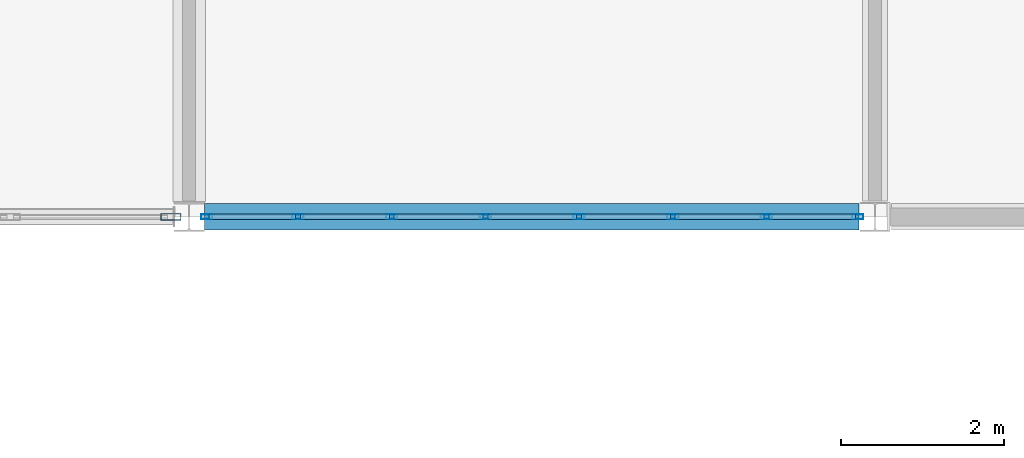
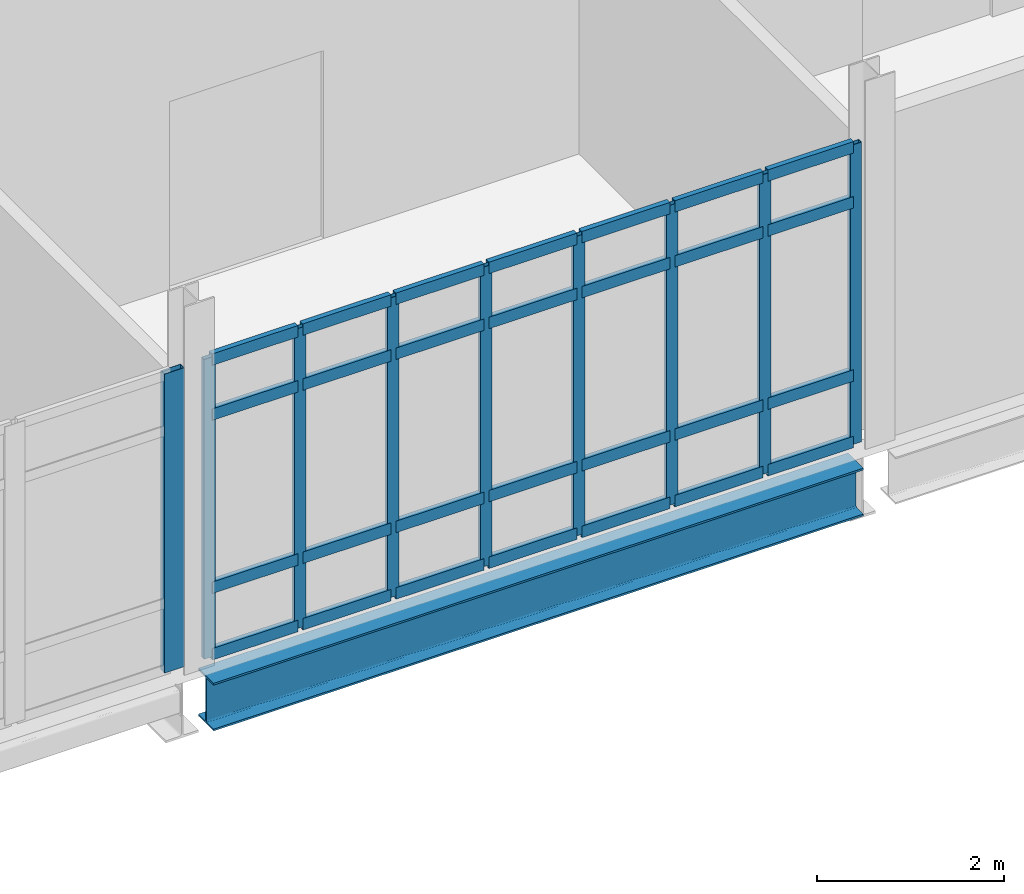
# One storey, part 19 of 72: 37 members, 1 beam, 2 elements without a shape of their own.
"""IFC4 building model written with IfcOpenShell, lengths in metres."""

from ifc_helpers import new_model, si_unit, direction, frame, origin, origin_2d, place, context, subcontext, project, spatial, hollow_rectangle, i_section, extrude, material, layer, layer_set, material_profile, profile_set, type_object, element, aggregate, save


model = new_model("IFC4")

# Units and contexts
model_context = context("Model", 3, precision=1e-05, world=origin(), true_north=direction((0.0, 1.0)))
body_context = subcontext(model_context, "Body", "Model", "MODEL_VIEW")
ifc_project = project(units=[si_unit("LENGTHUNIT", "METRE"), si_unit("AREAUNIT", "SQUARE_METRE"), si_unit("VOLUMEUNIT", "CUBIC_METRE"), si_unit("PLANEANGLEUNIT", "RADIAN"), si_unit("MASSUNIT", "GRAM", prefix="KILO")], contexts=[model_context])

# Site, building, storey
site_placement = place(None, origin())
site = spatial("IfcSite", under=ifc_project, at=site_placement, CompositionType="ELEMENT")
building_placement = place(site_placement, origin())
building = spatial("IfcBuilding", under=site, at=building_placement, Name="Calvrana Isthmian Art Gallery", CompositionType="ELEMENT")
storey_placement = place(building_placement, frame((0.0, 0.0, 15.0)))
storey = spatial("IfcBuildingStorey", under=building, at=storey_placement, Name="L03", CompositionType="ELEMENT", Elevation=15.0)

# Beam
ifc_material_1 = material(Name="Steel ASTM A992 Gr 50", Category="steel")
ifc_material_profile_1 = material_profile(ifc_material_1, i_section(OverallWidth=0.327880859375, OverallDepth=0.6220703125, WebThickness=0.015380859375, FlangeThickness=0.0244140625, FilletRadius=0.02197265625, at=origin_2d()), Name="W24X131")
ifc_profile_set_1 = profile_set([ifc_material_profile_1], Name="Steel ASTM A992 Gr 50")
beam_type = type_object("IfcBeamType", Name="BM-G-W24X131", PredefinedType="BEAM", material=ifc_profile_set_1)
beam_placement = place(storey_placement, frame((46.986572265625, 21.60009765625, -0.555908203125), z_axis=(1.0, 0.0, 0.0), x_axis=(0.0, 1.0, 0.0)))
element("IfcBeam", 1, at=beam_placement, inside=storey, type_object=beam_type, Name="Girder X L03 07-08/D", PredefinedType="BEAM", context=body_context, shape_type="SweptSolid", body=[
    extrude(i_section(OverallWidth=0.327880859375, OverallDepth=0.6220703125, WebThickness=0.015380859375, FlangeThickness=0.0244140625, FilletRadius=0.02197265625, at=origin_2d()), origin(), (0.0, 0.0, 1.0), 8.013916015625),
])

# Curtain wall, members
ifc_material_2 = material(Name="Anodized bronze aluminium 6063-T6", Category="aluminium")
ifc_layer = layer(ifc_material_2, 0.179931640625, Name="Anodized bronze aluminium 6063-T6")
ifc_layer_set = layer_set([ifc_layer], Name="Anodized bronze aluminium 6063-T6")
curtain_wall_type = type_object("IfcCurtainWallType", Name="CW-STICK-080X39", PredefinedType="NOTDEFINED", material=ifc_layer_set)
curtain_wall_1_placement = place(storey_placement, origin())
curtain_wall_1 = element("IfcCurtainWall", 2, at=curtain_wall_1_placement, inside=storey, type_object=curtain_wall_type, Name="Curtain wall CW-192", PredefinedType="NOTDEFINED")
ifc_material_profile_2 = material_profile(ifc_material_2, hollow_rectangle(XDim=0.06005859375, YDim=0.139892578125, WallThickness=0.00390625, at=origin_2d()), Name="CWM60X140")
ifc_profile_set_2 = profile_set([ifc_material_profile_2], Name="Anodized bronze aluminium 6063-T6")
member_type_1 = type_object("IfcMemberType", Name="CWM-CWM60X140", PredefinedType="MULLION", material=ifc_profile_set_2)
member_1_placement = place(storey_placement, frame((54.986083984375, 21.60009765625, 0.0), z_axis=(0.0, 0.0, 1.0), x_axis=(0.0, -1.0, 0.0)))
member_1 = element("IfcMember", 3, at=member_1_placement, type_object=member_type_1, Name="CW-192 mullion 1", PredefinedType="MULLION", context=body_context, shape_type="SweptSolid", body=[
    extrude(hollow_rectangle(XDim=0.06005859375, YDim=0.139892578125, WallThickness=0.00390625, at=origin_2d()), origin(), (0.0, 0.0, 1.0), 3.907958984375),
])
member_2_placement = place(storey_placement, frame((53.868896484375, 21.60009765625, 0.0), z_axis=(0.0, 0.0, 1.0), x_axis=(0.0, -1.0, 0.0)))
member_2 = element("IfcMember", 4, at=member_2_placement, type_object=member_type_1, Name="CW-192 mullion 2", PredefinedType="MULLION", context=body_context, shape_type="SweptSolid", body=[
    extrude(hollow_rectangle(XDim=0.06005859375, YDim=0.139892578125, WallThickness=0.00390625, at=origin_2d()), origin(), (0.0, 0.0, 1.0), 3.907958984375),
])
member_3_placement = place(storey_placement, frame((52.7216796875, 21.60009765625, 0.0), z_axis=(0.0, 0.0, 1.0), x_axis=(0.0, -1.0, 0.0)))
member_3 = element("IfcMember", 5, at=member_3_placement, type_object=member_type_1, Name="CW-192 mullion 3", PredefinedType="MULLION", context=body_context, shape_type="SweptSolid", body=[
    extrude(hollow_rectangle(XDim=0.06005859375, YDim=0.139892578125, WallThickness=0.00390625, at=origin_2d()), origin(), (0.0, 0.0, 1.0), 3.907958984375),
])
member_4_placement = place(storey_placement, frame((51.574462890625, 21.60009765625, 0.0), z_axis=(0.0, 0.0, 1.0), x_axis=(0.0, -1.0, 0.0)))
member_4 = element("IfcMember", 6, at=member_4_placement, type_object=member_type_1, Name="CW-192 mullion 4", PredefinedType="MULLION", context=body_context, shape_type="SweptSolid", body=[
    extrude(hollow_rectangle(XDim=0.06005859375, YDim=0.139892578125, WallThickness=0.00390625, at=origin_2d()), origin(), (0.0, 0.0, 1.0), 3.907958984375),
])
member_5_placement = place(storey_placement, frame((50.42724609375, 21.60009765625, 0.0), z_axis=(0.0, 0.0, 1.0), x_axis=(0.0, -1.0, 0.0)))
member_5 = element("IfcMember", 7, at=member_5_placement, type_object=member_type_1, Name="CW-192 mullion 5", PredefinedType="MULLION", context=body_context, shape_type="SweptSolid", body=[
    extrude(hollow_rectangle(XDim=0.06005859375, YDim=0.139892578125, WallThickness=0.00390625, at=origin_2d()), origin(), (0.0, 0.0, 1.0), 3.907958984375),
])
member_6_placement = place(storey_placement, frame((49.280029296875, 21.60009765625, 0.0), z_axis=(0.0, 0.0, 1.0), x_axis=(0.0, -1.0, 0.0)))
member_6 = element("IfcMember", 8, at=member_6_placement, type_object=member_type_1, Name="CW-192 mullion 6", PredefinedType="MULLION", context=body_context, shape_type="SweptSolid", body=[
    extrude(hollow_rectangle(XDim=0.06005859375, YDim=0.139892578125, WallThickness=0.00390625, at=origin_2d()), origin(), (0.0, 0.0, 1.0), 3.907958984375),
])
member_7_placement = place(storey_placement, frame((48.1328125, 21.60009765625, 0.0), z_axis=(0.0, 0.0, 1.0), x_axis=(0.0, -1.0, 0.0)))
member_7 = element("IfcMember", 9, at=member_7_placement, type_object=member_type_1, Name="CW-192 mullion 7", PredefinedType="MULLION", context=body_context, shape_type="SweptSolid", body=[
    extrude(hollow_rectangle(XDim=0.06005859375, YDim=0.139892578125, WallThickness=0.00390625, at=origin_2d()), origin(), (0.0, 0.0, 1.0), 3.907958984375),
])
member_8_placement = place(storey_placement, frame((47.015380859375, 21.60009765625, 0.0), z_axis=(0.0, 0.0, 1.0), x_axis=(0.0, -1.0, 0.0)))
member_8 = element("IfcMember", 10, at=member_8_placement, type_object=member_type_1, Name="CW-192 mullion 8", PredefinedType="MULLION", context=body_context, shape_type="SweptSolid", body=[
    extrude(hollow_rectangle(XDim=0.06005859375, YDim=0.139892578125, WallThickness=0.00390625, at=origin_2d()), origin(), (0.0, 0.0, 1.0), 3.907958984375),
])

# Curtain wall, member
curtain_wall_2_placement = place(storey_placement, origin())
curtain_wall_2 = element("IfcCurtainWall", 11, at=curtain_wall_2_placement, inside=storey, type_object=curtain_wall_type, Name="Curtain wall CW-191", PredefinedType="NOTDEFINED")
ifc_material_profile_3 = material_profile(ifc_material_2, hollow_rectangle(XDim=0.080078125, YDim=0.25, WallThickness=0.005615234375, at=origin_2d()), Name="CWM80X250")
ifc_profile_set_3 = profile_set([ifc_material_profile_3], Name="Anodized bronze aluminium 6063-T6")
member_type_2 = type_object("IfcMemberType", Name="CWM-CWM80X250", PredefinedType="MULLION", material=ifc_profile_set_3)
member_9_placement = place(storey_placement, frame((46.574462890625, 21.60009765625, 0.0), z_axis=(0.0, 0.0, 1.0), x_axis=(0.0, -1.0, 0.0)))
member_9 = element("IfcMember", 12, at=member_9_placement, type_object=member_type_2, Name="CW-191 mullion 1", PredefinedType="MULLION", context=body_context, shape_type="SweptSolid", body=[
    extrude(hollow_rectangle(XDim=0.080078125, YDim=0.25, WallThickness=0.005615234375, at=origin_2d()), origin(), (0.0, 0.0, 1.0), 3.89794921875),
])
aggregate(curtain_wall_2, [member_9])

# Member
ifc_material_profile_4 = material_profile(ifc_material_2, hollow_rectangle(XDim=0.06494140625, YDim=0.14990234375, WallThickness=0.00390625, at=origin_2d()), Name="CWT65X150")
ifc_profile_set_4 = profile_set([ifc_material_profile_4], Name="Anodized bronze aluminium 6063-T6")
member_type_3 = type_object("IfcMemberType", Name="CWT-CWT65X150", PredefinedType="USERDEFINED", material=ifc_profile_set_4)
member_10_placement = place(storey_placement, frame((54.9560546875, 21.60009765625, 0.032470703125), z_axis=(-1.0, 0.0, 0.0), x_axis=(0.0, -1.0, 0.0)))
member_10 = element("IfcMember", 13, at=member_10_placement, type_object=member_type_3, Name="CW-192 transom 1.1", ObjectType="TRANSOM", PredefinedType="USERDEFINED", context=body_context, shape_type="SweptSolid", body=[
    extrude(hollow_rectangle(XDim=0.06494140625, YDim=0.14990234375, WallThickness=0.00390625, at=origin_2d()), origin(), (0.0, 0.0, 1.0), 1.057373046875),
])

member_11_placement = place(storey_placement, frame((54.9560546875, 21.60009765625, 0.89990234375), z_axis=(-1.0, 0.0, 0.0), x_axis=(0.0, -1.0, 0.0)))
member_11 = element("IfcMember", 14, at=member_11_placement, type_object=member_type_3, Name="CW-192 transom 1.2", ObjectType="TRANSOM", PredefinedType="USERDEFINED", context=body_context, shape_type="SweptSolid", body=[
    extrude(hollow_rectangle(XDim=0.06494140625, YDim=0.14990234375, WallThickness=0.00390625, at=origin_2d()), origin(), (0.0, 0.0, 1.0), 1.057373046875),
])

member_12_placement = place(storey_placement, frame((54.9560546875, 21.60009765625, 3.157958984375), z_axis=(-1.0, 0.0, 0.0), x_axis=(0.0, -1.0, 0.0)))
member_12 = element("IfcMember", 15, at=member_12_placement, type_object=member_type_3, Name="CW-192 transom 1.3", ObjectType="TRANSOM", PredefinedType="USERDEFINED", context=body_context, shape_type="SweptSolid", body=[
    extrude(hollow_rectangle(XDim=0.06494140625, YDim=0.14990234375, WallThickness=0.00390625, at=origin_2d()), origin(), (0.0, 0.0, 1.0), 1.057373046875),
])

member_13_placement = place(storey_placement, frame((54.9560546875, 21.60009765625, 3.87548828125), z_axis=(-1.0, 0.0, 0.0), x_axis=(0.0, -1.0, 0.0)))
member_13 = element("IfcMember", 16, at=member_13_placement, type_object=member_type_3, Name="CW-192 transom 1.4", ObjectType="TRANSOM", PredefinedType="USERDEFINED", context=body_context, shape_type="SweptSolid", body=[
    extrude(hollow_rectangle(XDim=0.06494140625, YDim=0.14990234375, WallThickness=0.00390625, at=origin_2d()), origin(), (0.0, 0.0, 1.0), 1.057373046875),
])

member_14_placement = place(storey_placement, frame((53.8388671875, 21.60009765625, 0.032470703125), z_axis=(-1.0, 0.0, 0.0), x_axis=(0.0, -1.0, 0.0)))
member_14 = element("IfcMember", 17, at=member_14_placement, type_object=member_type_3, Name="CW-192 transom 2.1", ObjectType="TRANSOM", PredefinedType="USERDEFINED", context=body_context, shape_type="SweptSolid", body=[
    extrude(hollow_rectangle(XDim=0.06494140625, YDim=0.14990234375, WallThickness=0.00390625, at=origin_2d()), origin(), (0.0, 0.0, 1.0), 1.08740234375),
])

member_15_placement = place(storey_placement, frame((53.8388671875, 21.60009765625, 0.89990234375), z_axis=(-1.0, 0.0, 0.0), x_axis=(0.0, -1.0, 0.0)))
member_15 = element("IfcMember", 18, at=member_15_placement, type_object=member_type_3, Name="CW-192 transom 2.2", ObjectType="TRANSOM", PredefinedType="USERDEFINED", context=body_context, shape_type="SweptSolid", body=[
    extrude(hollow_rectangle(XDim=0.06494140625, YDim=0.14990234375, WallThickness=0.00390625, at=origin_2d()), origin(), (0.0, 0.0, 1.0), 1.08740234375),
])

member_16_placement = place(storey_placement, frame((53.8388671875, 21.60009765625, 3.157958984375), z_axis=(-1.0, 0.0, 0.0), x_axis=(0.0, -1.0, 0.0)))
member_16 = element("IfcMember", 19, at=member_16_placement, type_object=member_type_3, Name="CW-192 transom 2.3", ObjectType="TRANSOM", PredefinedType="USERDEFINED", context=body_context, shape_type="SweptSolid", body=[
    extrude(hollow_rectangle(XDim=0.06494140625, YDim=0.14990234375, WallThickness=0.00390625, at=origin_2d()), origin(), (0.0, 0.0, 1.0), 1.08740234375),
])

member_17_placement = place(storey_placement, frame((53.8388671875, 21.60009765625, 3.87548828125), z_axis=(-1.0, 0.0, 0.0), x_axis=(0.0, -1.0, 0.0)))
member_17 = element("IfcMember", 20, at=member_17_placement, type_object=member_type_3, Name="CW-192 transom 2.4", ObjectType="TRANSOM", PredefinedType="USERDEFINED", context=body_context, shape_type="SweptSolid", body=[
    extrude(hollow_rectangle(XDim=0.06494140625, YDim=0.14990234375, WallThickness=0.00390625, at=origin_2d()), origin(), (0.0, 0.0, 1.0), 1.08740234375),
])

member_18_placement = place(storey_placement, frame((52.691650390625, 21.60009765625, 0.032470703125), z_axis=(-1.0, 0.0, 0.0), x_axis=(0.0, -1.0, 0.0)))
member_18 = element("IfcMember", 21, at=member_18_placement, type_object=member_type_3, Name="CW-192 transom 3.1", ObjectType="TRANSOM", PredefinedType="USERDEFINED", context=body_context, shape_type="SweptSolid", body=[
    extrude(hollow_rectangle(XDim=0.06494140625, YDim=0.14990234375, WallThickness=0.00390625, at=origin_2d()), origin(), (0.0, 0.0, 1.0), 1.08740234375),
])

member_19_placement = place(storey_placement, frame((52.691650390625, 21.60009765625, 0.89990234375), z_axis=(-1.0, 0.0, 0.0), x_axis=(0.0, -1.0, 0.0)))
member_19 = element("IfcMember", 22, at=member_19_placement, type_object=member_type_3, Name="CW-192 transom 3.2", ObjectType="TRANSOM", PredefinedType="USERDEFINED", context=body_context, shape_type="SweptSolid", body=[
    extrude(hollow_rectangle(XDim=0.06494140625, YDim=0.14990234375, WallThickness=0.00390625, at=origin_2d()), origin(), (0.0, 0.0, 1.0), 1.08740234375),
])

member_20_placement = place(storey_placement, frame((52.691650390625, 21.60009765625, 3.157958984375), z_axis=(-1.0, 0.0, 0.0), x_axis=(0.0, -1.0, 0.0)))
member_20 = element("IfcMember", 23, at=member_20_placement, type_object=member_type_3, Name="CW-192 transom 3.3", ObjectType="TRANSOM", PredefinedType="USERDEFINED", context=body_context, shape_type="SweptSolid", body=[
    extrude(hollow_rectangle(XDim=0.06494140625, YDim=0.14990234375, WallThickness=0.00390625, at=origin_2d()), origin(), (0.0, 0.0, 1.0), 1.08740234375),
])

member_21_placement = place(storey_placement, frame((52.691650390625, 21.60009765625, 3.87548828125), z_axis=(-1.0, 0.0, 0.0), x_axis=(0.0, -1.0, 0.0)))
member_21 = element("IfcMember", 24, at=member_21_placement, type_object=member_type_3, Name="CW-192 transom 3.4", ObjectType="TRANSOM", PredefinedType="USERDEFINED", context=body_context, shape_type="SweptSolid", body=[
    extrude(hollow_rectangle(XDim=0.06494140625, YDim=0.14990234375, WallThickness=0.00390625, at=origin_2d()), origin(), (0.0, 0.0, 1.0), 1.08740234375),
])

member_22_placement = place(storey_placement, frame((51.54443359375, 21.60009765625, 0.032470703125), z_axis=(-1.0, 0.0, 0.0), x_axis=(0.0, -1.0, 0.0)))
member_22 = element("IfcMember", 25, at=member_22_placement, type_object=member_type_3, Name="CW-192 transom 4.1", ObjectType="TRANSOM", PredefinedType="USERDEFINED", context=body_context, shape_type="SweptSolid", body=[
    extrude(hollow_rectangle(XDim=0.06494140625, YDim=0.14990234375, WallThickness=0.00390625, at=origin_2d()), origin(), (0.0, 0.0, 1.0), 1.08740234375),
])

member_23_placement = place(storey_placement, frame((51.54443359375, 21.60009765625, 0.89990234375), z_axis=(-1.0, 0.0, 0.0), x_axis=(0.0, -1.0, 0.0)))
member_23 = element("IfcMember", 26, at=member_23_placement, type_object=member_type_3, Name="CW-192 transom 4.2", ObjectType="TRANSOM", PredefinedType="USERDEFINED", context=body_context, shape_type="SweptSolid", body=[
    extrude(hollow_rectangle(XDim=0.06494140625, YDim=0.14990234375, WallThickness=0.00390625, at=origin_2d()), origin(), (0.0, 0.0, 1.0), 1.08740234375),
])

member_24_placement = place(storey_placement, frame((51.54443359375, 21.60009765625, 3.157958984375), z_axis=(-1.0, 0.0, 0.0), x_axis=(0.0, -1.0, 0.0)))
member_24 = element("IfcMember", 27, at=member_24_placement, type_object=member_type_3, Name="CW-192 transom 4.3", ObjectType="TRANSOM", PredefinedType="USERDEFINED", context=body_context, shape_type="SweptSolid", body=[
    extrude(hollow_rectangle(XDim=0.06494140625, YDim=0.14990234375, WallThickness=0.00390625, at=origin_2d()), origin(), (0.0, 0.0, 1.0), 1.08740234375),
])

member_25_placement = place(storey_placement, frame((51.54443359375, 21.60009765625, 3.87548828125), z_axis=(-1.0, 0.0, 0.0), x_axis=(0.0, -1.0, 0.0)))
member_25 = element("IfcMember", 28, at=member_25_placement, type_object=member_type_3, Name="CW-192 transom 4.4", ObjectType="TRANSOM", PredefinedType="USERDEFINED", context=body_context, shape_type="SweptSolid", body=[
    extrude(hollow_rectangle(XDim=0.06494140625, YDim=0.14990234375, WallThickness=0.00390625, at=origin_2d()), origin(), (0.0, 0.0, 1.0), 1.08740234375),
])

member_26_placement = place(storey_placement, frame((50.397216796875, 21.60009765625, 0.032470703125), z_axis=(-1.0, 0.0, 0.0), x_axis=(0.0, -1.0, 0.0)))
member_26 = element("IfcMember", 29, at=member_26_placement, type_object=member_type_3, Name="CW-192 transom 5.1", ObjectType="TRANSOM", PredefinedType="USERDEFINED", context=body_context, shape_type="SweptSolid", body=[
    extrude(hollow_rectangle(XDim=0.06494140625, YDim=0.14990234375, WallThickness=0.00390625, at=origin_2d()), origin(), (0.0, 0.0, 1.0), 1.08740234375),
])

member_27_placement = place(storey_placement, frame((50.397216796875, 21.60009765625, 0.89990234375), z_axis=(-1.0, 0.0, 0.0), x_axis=(0.0, -1.0, 0.0)))
member_27 = element("IfcMember", 30, at=member_27_placement, type_object=member_type_3, Name="CW-192 transom 5.2", ObjectType="TRANSOM", PredefinedType="USERDEFINED", context=body_context, shape_type="SweptSolid", body=[
    extrude(hollow_rectangle(XDim=0.06494140625, YDim=0.14990234375, WallThickness=0.00390625, at=origin_2d()), origin(), (0.0, 0.0, 1.0), 1.08740234375),
])

member_28_placement = place(storey_placement, frame((50.397216796875, 21.60009765625, 3.157958984375), z_axis=(-1.0, 0.0, 0.0), x_axis=(0.0, -1.0, 0.0)))
member_28 = element("IfcMember", 31, at=member_28_placement, type_object=member_type_3, Name="CW-192 transom 5.3", ObjectType="TRANSOM", PredefinedType="USERDEFINED", context=body_context, shape_type="SweptSolid", body=[
    extrude(hollow_rectangle(XDim=0.06494140625, YDim=0.14990234375, WallThickness=0.00390625, at=origin_2d()), origin(), (0.0, 0.0, 1.0), 1.08740234375),
])

member_29_placement = place(storey_placement, frame((50.397216796875, 21.60009765625, 3.87548828125), z_axis=(-1.0, 0.0, 0.0), x_axis=(0.0, -1.0, 0.0)))
member_29 = element("IfcMember", 32, at=member_29_placement, type_object=member_type_3, Name="CW-192 transom 5.4", ObjectType="TRANSOM", PredefinedType="USERDEFINED", context=body_context, shape_type="SweptSolid", body=[
    extrude(hollow_rectangle(XDim=0.06494140625, YDim=0.14990234375, WallThickness=0.00390625, at=origin_2d()), origin(), (0.0, 0.0, 1.0), 1.08740234375),
])

member_30_placement = place(storey_placement, frame((49.25, 21.60009765625, 0.032470703125), z_axis=(-1.0, 0.0, 0.0), x_axis=(0.0, -1.0, 0.0)))
member_30 = element("IfcMember", 33, at=member_30_placement, type_object=member_type_3, Name="CW-192 transom 6.1", ObjectType="TRANSOM", PredefinedType="USERDEFINED", context=body_context, shape_type="SweptSolid", body=[
    extrude(hollow_rectangle(XDim=0.06494140625, YDim=0.14990234375, WallThickness=0.00390625, at=origin_2d()), origin(), (0.0, 0.0, 1.0), 1.08740234375),
])

member_31_placement = place(storey_placement, frame((49.25, 21.60009765625, 0.89990234375), z_axis=(-1.0, 0.0, 0.0), x_axis=(0.0, -1.0, 0.0)))
member_31 = element("IfcMember", 34, at=member_31_placement, type_object=member_type_3, Name="CW-192 transom 6.2", ObjectType="TRANSOM", PredefinedType="USERDEFINED", context=body_context, shape_type="SweptSolid", body=[
    extrude(hollow_rectangle(XDim=0.06494140625, YDim=0.14990234375, WallThickness=0.00390625, at=origin_2d()), origin(), (0.0, 0.0, 1.0), 1.08740234375),
])

member_32_placement = place(storey_placement, frame((49.25, 21.60009765625, 3.157958984375), z_axis=(-1.0, 0.0, 0.0), x_axis=(0.0, -1.0, 0.0)))
member_32 = element("IfcMember", 35, at=member_32_placement, type_object=member_type_3, Name="CW-192 transom 6.3", ObjectType="TRANSOM", PredefinedType="USERDEFINED", context=body_context, shape_type="SweptSolid", body=[
    extrude(hollow_rectangle(XDim=0.06494140625, YDim=0.14990234375, WallThickness=0.00390625, at=origin_2d()), origin(), (0.0, 0.0, 1.0), 1.08740234375),
])

member_33_placement = place(storey_placement, frame((49.25, 21.60009765625, 3.87548828125), z_axis=(-1.0, 0.0, 0.0), x_axis=(0.0, -1.0, 0.0)))
member_33 = element("IfcMember", 36, at=member_33_placement, type_object=member_type_3, Name="CW-192 transom 6.4", ObjectType="TRANSOM", PredefinedType="USERDEFINED", context=body_context, shape_type="SweptSolid", body=[
    extrude(hollow_rectangle(XDim=0.06494140625, YDim=0.14990234375, WallThickness=0.00390625, at=origin_2d()), origin(), (0.0, 0.0, 1.0), 1.08740234375),
])

member_34_placement = place(storey_placement, frame((48.102783203125, 21.60009765625, 0.032470703125), z_axis=(-1.0, 0.0, 0.0), x_axis=(0.0, -1.0, 0.0)))
member_34 = element("IfcMember", 37, at=member_34_placement, type_object=member_type_3, Name="CW-192 transom 7.1", ObjectType="TRANSOM", PredefinedType="USERDEFINED", context=body_context, shape_type="SweptSolid", body=[
    extrude(hollow_rectangle(XDim=0.06494140625, YDim=0.14990234375, WallThickness=0.00390625, at=origin_2d()), origin(), (0.0, 0.0, 1.0), 1.057373046875),
])

member_35_placement = place(storey_placement, frame((48.102783203125, 21.60009765625, 0.89990234375), z_axis=(-1.0, 0.0, 0.0), x_axis=(0.0, -1.0, 0.0)))
member_35 = element("IfcMember", 38, at=member_35_placement, type_object=member_type_3, Name="CW-192 transom 7.2", ObjectType="TRANSOM", PredefinedType="USERDEFINED", context=body_context, shape_type="SweptSolid", body=[
    extrude(hollow_rectangle(XDim=0.06494140625, YDim=0.14990234375, WallThickness=0.00390625, at=origin_2d()), origin(), (0.0, 0.0, 1.0), 1.057373046875),
])

member_36_placement = place(storey_placement, frame((48.102783203125, 21.60009765625, 3.157958984375), z_axis=(-1.0, 0.0, 0.0), x_axis=(0.0, -1.0, 0.0)))
member_36 = element("IfcMember", 39, at=member_36_placement, type_object=member_type_3, Name="CW-192 transom 7.3", ObjectType="TRANSOM", PredefinedType="USERDEFINED", context=body_context, shape_type="SweptSolid", body=[
    extrude(hollow_rectangle(XDim=0.06494140625, YDim=0.14990234375, WallThickness=0.00390625, at=origin_2d()), origin(), (0.0, 0.0, 1.0), 1.057373046875),
])

member_37_placement = place(storey_placement, frame((48.102783203125, 21.60009765625, 3.87548828125), z_axis=(-1.0, 0.0, 0.0), x_axis=(0.0, -1.0, 0.0)))
member_37 = element("IfcMember", 40, at=member_37_placement, type_object=member_type_3, Name="CW-192 transom 7.4", ObjectType="TRANSOM", PredefinedType="USERDEFINED", context=body_context, shape_type="SweptSolid", body=[
    extrude(hollow_rectangle(XDim=0.06494140625, YDim=0.14990234375, WallThickness=0.00390625, at=origin_2d()), origin(), (0.0, 0.0, 1.0), 1.057373046875),
])

aggregate(curtain_wall_1, [member_1, member_2, member_3, member_4, member_5, member_6, member_7, member_8, member_10, member_11, member_12, member_13, member_14, member_15, member_16, member_17, member_18, member_19, member_20, member_21, member_22, member_23, member_24, member_25, member_26, member_27, member_28, member_29, member_30, member_31, member_32, member_33, member_34, member_35, member_36, member_37])

save(model, "model.ifc")
